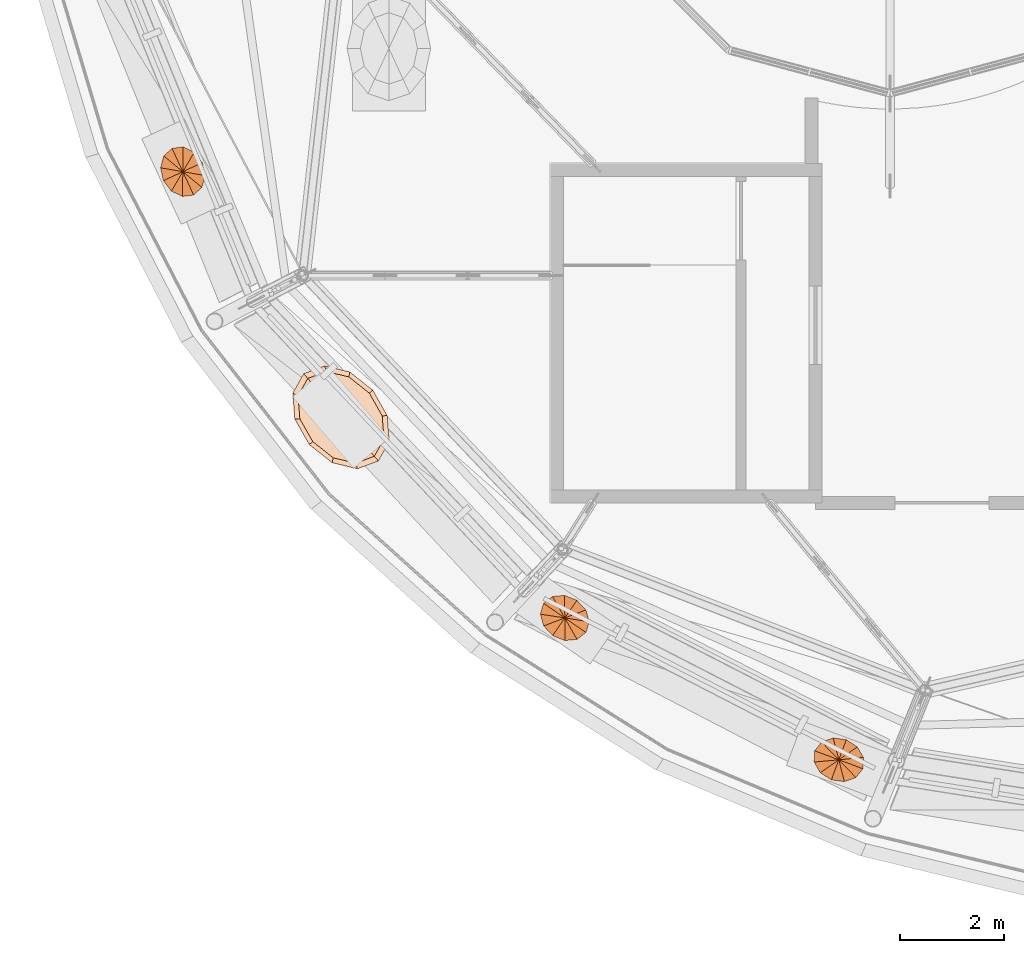
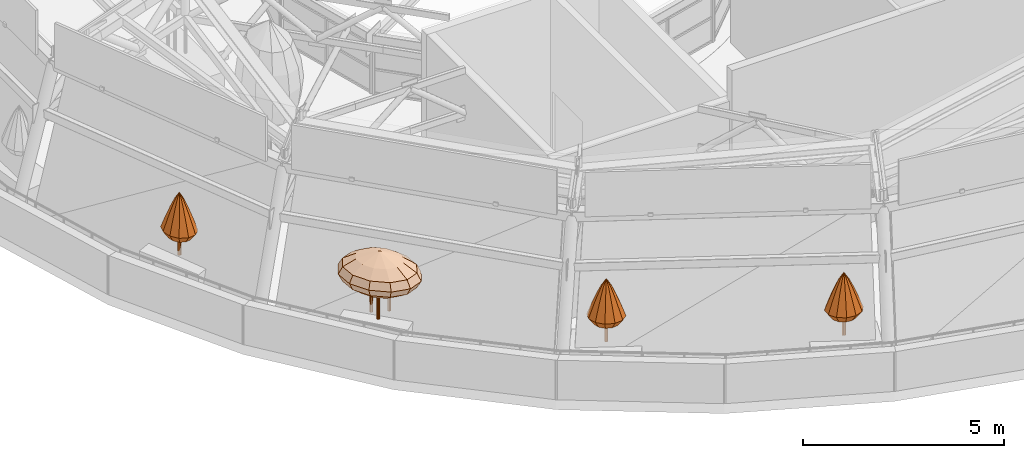
# One storey, part 32 of 40: 4 geographic elements.
"""IFC4 building model written with IfcOpenShell, lengths in metres."""

from ifc_helpers import new_model, si_unit, direction, frame, origin, place, context, subcontext, project, spatial, faceted_brep, material, constituent, constituent_set, type_object, element, save


model = new_model("IFC4")

# Units and contexts
model_context = context("Model", 3, precision=1e-05, world=origin(), true_north=direction((0.0, 1.0)))
body_context = subcontext(model_context, "Body", "Model", "MODEL_VIEW")
ifc_project = project(units=[si_unit("LENGTHUNIT", "METRE"), si_unit("AREAUNIT", "SQUARE_METRE"), si_unit("VOLUMEUNIT", "CUBIC_METRE"), si_unit("PLANEANGLEUNIT", "RADIAN"), si_unit("MASSUNIT", "GRAM", prefix="KILO")], contexts=[model_context])

# Site, building, storey
site_placement = place(None, origin())
site = spatial("IfcSite", under=ifc_project, at=site_placement, CompositionType="ELEMENT")
building_placement = place(site_placement, origin())
building = spatial("IfcBuilding", under=site, at=building_placement, Name="Taillehof Tower", CompositionType="ELEMENT")
storey_placement = place(building_placement, frame((0.0, 0.0, 275.199951171875)))
storey = spatial("IfcBuildingStorey", under=building, at=storey_placement, Name="L77", CompositionType="ELEMENT", Elevation=275.199951171875)

# Geographic elements
ifc_material_1 = material(Name="Tree bark", Category="timber")
ifc_constituent_1 = constituent(ifc_material_1, Name="Trunk", Category="timber")
ifc_material_2 = material(Name="Tree foliage")
ifc_constituent_2 = constituent(ifc_material_2, Name="Crown")
ifc_constituent_set_1 = constituent_set(constituents=[ifc_constituent_1, ifc_constituent_2], Name="Tree TR10 Scots pine standard")
geographic_element_type_1 = type_object("IfcGeographicElementType", Name="Tree TR10 Scots pine standard", PredefinedType="USERDEFINED", material=ifc_constituent_set_1)
geographic_element_1_placement = place(storey_placement, frame((-21.533935546875, -7.659912109375, 0.75)))
element("IfcGeographicElement", 1, at=geographic_element_1_placement, inside=storey, type_object=geographic_element_type_1, Name="Tree TR10 Scots pine standard", ObjectType="TREE", PredefinedType="USERDEFINED", context=body_context, shape_type="Brep", body=[
    faceted_brep([(0.050048828125, 0.0, 0.0), (0.035400390625, 0.035400390625, 0.0), (0.035400390625, 0.035400390625, 1.035400390625), (0.050048828125, 0.0, 1.035400390625), (0.0, 0.050048828125, 0.0), (0.0, 0.050048828125, 1.035400390625), (-0.035400390625, 0.035400390625, 0.0), (-0.035400390625, 0.035400390625, 1.035400390625), (-0.050048828125, 0.0, 0.0), (-0.050048828125, 0.0, 1.035400390625), (-0.035400390625, -0.035400390625, 0.0), (-0.035400390625, -0.035400390625, 1.035400390625), (0.0, -0.050048828125, 0.0), (0.0, -0.050048828125, 1.035400390625), (0.035400390625, -0.035400390625, 0.0), (0.035400390625, -0.035400390625, 1.035400390625)], [[[0, 1, 2, 3]], [[1, 4, 5, 2]], [[4, 6, 7, 5]], [[6, 8, 9, 7]], [[8, 10, 11, 9]], [[10, 12, 13, 11]], [[12, 14, 15, 13]], [[14, 0, 3, 15]], [[14, 12, 10, 8, 6, 4, 1, 0]], [[3, 2, 5, 7, 9, 11, 13, 15]]]),
    faceted_brep([(0.138427734375, -0.299560546875, 0.570068359375), (0.24462890625, -0.20166015625, 0.570068359375), (0.365234375, -0.30126953125, 0.791748046875), (0.20654296875, -0.447265625, 0.791748046875), (0.285400390625, -0.0498046875, 0.570068359375), (0.426025390625, -0.074462890625, 0.791748046875), (0.249755859375, 0.115234375, 0.570068359375), (0.372802734375, 0.172119140625, 0.791748046875), (0.14697265625, 0.249755859375, 0.570068359375), (0.219482421875, 0.372802734375, 0.791748046875), (0.0048828125, 0.317138671875, 0.570068359375), (0.00732421875, 0.473388671875, 0.791748046875), (-0.138427734375, 0.299560546875, 0.570068359375), (-0.20654296875, 0.447265625, 0.791748046875), (-0.24462890625, 0.20166015625, 0.570068359375), (-0.365234375, 0.30126953125, 0.791748046875), (-0.285400390625, 0.0498046875, 0.570068359375), (-0.426025390625, 0.074462890625, 0.791748046875), (-0.249755859375, -0.115234375, 0.570068359375), (-0.372802734375, -0.172119140625, 0.791748046875), (-0.14697265625, -0.249755859375, 0.570068359375), (-0.219482421875, -0.372802734375, 0.791748046875), (-0.0048828125, -0.317138671875, 0.570068359375), (-0.00732421875, -0.473388671875, 0.791748046875), (0.3056640625, -0.251953125, 1.013427734375), (0.1728515625, -0.3740234375, 1.013427734375), (0.3564453125, -0.062255859375, 1.013427734375), (0.311767578125, 0.14404296875, 1.013427734375), (0.18359375, 0.311767578125, 1.013427734375), (0.006103515625, 0.39599609375, 1.013427734375), (-0.1728515625, 0.3740234375, 1.013427734375), (-0.3056640625, 0.251953125, 1.013427734375), (-0.3564453125, 0.062255859375, 1.013427734375), (-0.311767578125, -0.14404296875, 1.013427734375), (-0.18359375, -0.311767578125, 1.013427734375), (-0.006103515625, -0.39599609375, 1.013427734375), (0.24267578125, -0.2001953125, 1.235107421875), (0.13720703125, -0.297119140625, 1.235107421875), (0.283203125, -0.049560546875, 1.235107421875), (0.24755859375, 0.114501953125, 1.235107421875), (0.145751953125, 0.247802734375, 1.235107421875), (0.0048828125, 0.314697265625, 1.235107421875), (-0.13720703125, 0.297119140625, 1.235107421875), (-0.24267578125, 0.2001953125, 1.235107421875), (-0.283203125, 0.049560546875, 1.235107421875), (-0.24755859375, -0.114501953125, 1.235107421875), (-0.145751953125, -0.247802734375, 1.235107421875), (-0.0048828125, -0.314697265625, 1.235107421875), (0.175537109375, -0.144775390625, 1.456787109375), (0.099365234375, -0.21484375, 1.456787109375), (0.20458984375, -0.035888671875, 1.456787109375), (0.178955078125, 0.082763671875, 1.456787109375), (0.10546875, 0.178955078125, 1.456787109375), (0.003662109375, 0.2275390625, 1.456787109375), (-0.099365234375, 0.21484375, 1.456787109375), (-0.175537109375, 0.144775390625, 1.456787109375), (-0.20458984375, 0.035888671875, 1.456787109375), (-0.178955078125, -0.082763671875, 1.456787109375), (-0.10546875, -0.178955078125, 1.456787109375), (-0.003662109375, -0.2275390625, 1.456787109375), (0.100830078125, -0.0830078125, 1.67822265625), (0.05712890625, -0.123291015625, 1.67822265625), (0.11767578125, -0.0205078125, 1.67822265625), (0.102783203125, 0.047607421875, 1.67822265625), (0.060546875, 0.102783203125, 1.67822265625), (0.001953125, 0.130615234375, 1.67822265625), (-0.05712890625, 0.123291015625, 1.67822265625), (-0.100830078125, 0.0830078125, 1.67822265625), (-0.11767578125, 0.0205078125, 1.67822265625), (-0.102783203125, -0.047607421875, 1.67822265625), (-0.060546875, -0.102783203125, 1.67822265625), (-0.001953125, -0.130615234375, 1.67822265625), (0.0, 0.0, 1.89990234375)], [[[0, 1, 2, 3]], [[1, 4, 5, 2]], [[4, 6, 7, 5]], [[6, 8, 9, 7]], [[8, 10, 11, 9]], [[10, 12, 13, 11]], [[12, 14, 15, 13]], [[14, 16, 17, 15]], [[16, 18, 19, 17]], [[18, 20, 21, 19]], [[20, 22, 23, 21]], [[22, 0, 3, 23]], [[3, 2, 24, 25]], [[2, 5, 26, 24]], [[5, 7, 27, 26]], [[7, 9, 28, 27]], [[9, 11, 29, 28]], [[11, 13, 30, 29]], [[13, 15, 31, 30]], [[15, 17, 32, 31]], [[17, 19, 33, 32]], [[19, 21, 34, 33]], [[21, 23, 35, 34]], [[23, 3, 25, 35]], [[25, 24, 36, 37]], [[24, 26, 38, 36]], [[26, 27, 39, 38]], [[27, 28, 40, 39]], [[28, 29, 41, 40]], [[29, 30, 42, 41]], [[30, 31, 43, 42]], [[31, 32, 44, 43]], [[32, 33, 45, 44]], [[33, 34, 46, 45]], [[34, 35, 47, 46]], [[35, 25, 37, 47]], [[37, 36, 48, 49]], [[36, 38, 50, 48]], [[38, 39, 51, 50]], [[39, 40, 52, 51]], [[40, 41, 53, 52]], [[41, 42, 54, 53]], [[42, 43, 55, 54]], [[43, 44, 56, 55]], [[44, 45, 57, 56]], [[45, 46, 58, 57]], [[46, 47, 59, 58]], [[47, 37, 49, 59]], [[49, 48, 60, 61]], [[48, 50, 62, 60]], [[50, 51, 63, 62]], [[51, 52, 64, 63]], [[52, 53, 65, 64]], [[53, 54, 66, 65]], [[54, 55, 67, 66]], [[55, 56, 68, 67]], [[56, 57, 69, 68]], [[57, 58, 70, 69]], [[58, 59, 71, 70]], [[59, 49, 61, 71]], [[61, 60, 72]], [[60, 62, 72]], [[62, 63, 72]], [[63, 64, 72]], [[64, 65, 72]], [[65, 66, 72]], [[66, 67, 72]], [[67, 68, 72]], [[68, 69, 72]], [[69, 70, 72]], [[70, 71, 72]], [[71, 61, 72]], [[22, 20, 18, 16, 14, 12, 10, 8, 6, 4, 1, 0]]]),
])
geographic_element_2_placement = place(storey_placement, frame((-14.223388671875, -16.20166015625, 0.75)))
element("IfcGeographicElement", 2, at=geographic_element_2_placement, inside=storey, type_object=geographic_element_type_1, Name="Tree TR10 Scots pine standard", ObjectType="TREE", PredefinedType="USERDEFINED", context=body_context, shape_type="Brep", body=[
    faceted_brep([(0.050048828125, 0.0, 0.0), (0.035400390625, 0.035400390625, 0.0), (0.035400390625, 0.035400390625, 1.035400390625), (0.050048828125, 0.0, 1.035400390625), (0.0, 0.050048828125, 0.0), (0.0, 0.050048828125, 1.035400390625), (-0.035400390625, 0.035400390625, 0.0), (-0.035400390625, 0.035400390625, 1.035400390625), (-0.050048828125, 0.0, 0.0), (-0.050048828125, 0.0, 1.035400390625), (-0.035400390625, -0.035400390625, 0.0), (-0.035400390625, -0.035400390625, 1.035400390625), (0.0, -0.050048828125, 0.0), (0.0, -0.050048828125, 1.035400390625), (0.035400390625, -0.035400390625, 0.0), (0.035400390625, -0.035400390625, 1.035400390625)], [[[0, 1, 2, 3]], [[1, 4, 5, 2]], [[4, 6, 7, 5]], [[6, 8, 9, 7]], [[8, 10, 11, 9]], [[10, 12, 13, 11]], [[12, 14, 15, 13]], [[14, 0, 3, 15]], [[14, 12, 10, 8, 6, 4, 1, 0]], [[3, 2, 5, 7, 9, 11, 13, 15]]]),
    faceted_brep([(0.27197265625, -0.18701171875, 0.570068359375), (0.3134765625, -0.048583984375, 0.570068359375), (0.4677734375, -0.07275390625, 0.791748046875), (0.40576171875, -0.279296875, 0.791748046875), (0.27099609375, 0.102783203125, 0.570068359375), (0.404541015625, 0.1533203125, 0.791748046875), (0.15576171875, 0.2265625, 0.570068359375), (0.232666015625, 0.338134765625, 0.791748046875), (-0.0009765625, 0.289794921875, 0.570068359375), (-0.00146484375, 0.4326171875, 0.791748046875), (-0.157470703125, 0.275146484375, 0.570068359375), (-0.235107421875, 0.410888671875, 0.791748046875), (-0.27197265625, 0.18701171875, 0.570068359375), (-0.40576171875, 0.279296875, 0.791748046875), (-0.3134765625, 0.048583984375, 0.570068359375), (-0.4677734375, 0.07275390625, 0.791748046875), (-0.27099609375, -0.102783203125, 0.570068359375), (-0.404541015625, -0.1533203125, 0.791748046875), (-0.15576171875, -0.2265625, 0.570068359375), (-0.232666015625, -0.338134765625, 0.791748046875), (0.0009765625, -0.289794921875, 0.570068359375), (0.00146484375, -0.4326171875, 0.791748046875), (0.157470703125, -0.275146484375, 0.570068359375), (0.235107421875, -0.410888671875, 0.791748046875), (0.391357421875, -0.060791015625, 1.013427734375), (0.339599609375, -0.233642578125, 1.013427734375), (0.33837890625, 0.128173828125, 1.013427734375), (0.194580078125, 0.282958984375, 1.013427734375), (-0.001220703125, 0.36181640625, 1.013427734375), (-0.19677734375, 0.34375, 1.013427734375), (-0.339599609375, 0.233642578125, 1.013427734375), (-0.391357421875, 0.060791015625, 1.013427734375), (-0.33837890625, -0.128173828125, 1.013427734375), (-0.194580078125, -0.282958984375, 1.013427734375), (0.001220703125, -0.36181640625, 1.013427734375), (0.19677734375, -0.34375, 1.013427734375), (0.310791015625, -0.04833984375, 1.235107421875), (0.269775390625, -0.185546875, 1.235107421875), (0.268798828125, 0.101806640625, 1.235107421875), (0.154541015625, 0.224853515625, 1.235107421875), (-0.0009765625, 0.287353515625, 1.235107421875), (-0.15625, 0.273193359375, 1.235107421875), (-0.269775390625, 0.185546875, 1.235107421875), (-0.310791015625, 0.04833984375, 1.235107421875), (-0.268798828125, -0.101806640625, 1.235107421875), (-0.154541015625, -0.224853515625, 1.235107421875), (0.0009765625, -0.287353515625, 1.235107421875), (0.15625, -0.273193359375, 1.235107421875), (0.224853515625, -0.034912109375, 1.456787109375), (0.195068359375, -0.134033203125, 1.456787109375), (0.1943359375, 0.07373046875, 1.456787109375), (0.11181640625, 0.16259765625, 1.456787109375), (-0.000732421875, 0.207763671875, 1.456787109375), (-0.113037109375, 0.197509765625, 1.456787109375), (-0.195068359375, 0.134033203125, 1.456787109375), (-0.224853515625, 0.034912109375, 1.456787109375), (-0.1943359375, -0.07373046875, 1.456787109375), (-0.11181640625, -0.16259765625, 1.456787109375), (0.000732421875, -0.207763671875, 1.456787109375), (0.113037109375, -0.197509765625, 1.456787109375), (0.129150390625, -0.02001953125, 1.67822265625), (0.112060546875, -0.0771484375, 1.67822265625), (0.111572265625, 0.042236328125, 1.67822265625), (0.064208984375, 0.09326171875, 1.67822265625), (-0.00048828125, 0.119384765625, 1.67822265625), (-0.06494140625, 0.11328125, 1.67822265625), (-0.112060546875, 0.0771484375, 1.67822265625), (-0.129150390625, 0.02001953125, 1.67822265625), (-0.111572265625, -0.042236328125, 1.67822265625), (-0.064208984375, -0.09326171875, 1.67822265625), (0.00048828125, -0.119384765625, 1.67822265625), (0.06494140625, -0.11328125, 1.67822265625), (0.0, 0.0, 1.89990234375)], [[[0, 1, 2, 3]], [[1, 4, 5, 2]], [[4, 6, 7, 5]], [[6, 8, 9, 7]], [[8, 10, 11, 9]], [[10, 12, 13, 11]], [[12, 14, 15, 13]], [[14, 16, 17, 15]], [[16, 18, 19, 17]], [[18, 20, 21, 19]], [[20, 22, 23, 21]], [[22, 0, 3, 23]], [[3, 2, 24, 25]], [[2, 5, 26, 24]], [[5, 7, 27, 26]], [[7, 9, 28, 27]], [[9, 11, 29, 28]], [[11, 13, 30, 29]], [[13, 15, 31, 30]], [[15, 17, 32, 31]], [[17, 19, 33, 32]], [[19, 21, 34, 33]], [[21, 23, 35, 34]], [[23, 3, 25, 35]], [[25, 24, 36, 37]], [[24, 26, 38, 36]], [[26, 27, 39, 38]], [[27, 28, 40, 39]], [[28, 29, 41, 40]], [[29, 30, 42, 41]], [[30, 31, 43, 42]], [[31, 32, 44, 43]], [[32, 33, 45, 44]], [[33, 34, 46, 45]], [[34, 35, 47, 46]], [[35, 25, 37, 47]], [[37, 36, 48, 49]], [[36, 38, 50, 48]], [[38, 39, 51, 50]], [[39, 40, 52, 51]], [[40, 41, 53, 52]], [[41, 42, 54, 53]], [[42, 43, 55, 54]], [[43, 44, 56, 55]], [[44, 45, 57, 56]], [[45, 46, 58, 57]], [[46, 47, 59, 58]], [[47, 37, 49, 59]], [[49, 48, 60, 61]], [[48, 50, 62, 60]], [[50, 51, 63, 62]], [[51, 52, 64, 63]], [[52, 53, 65, 64]], [[53, 54, 66, 65]], [[54, 55, 67, 66]], [[55, 56, 68, 67]], [[56, 57, 69, 68]], [[57, 58, 70, 69]], [[58, 59, 71, 70]], [[59, 49, 61, 71]], [[61, 60, 72]], [[60, 62, 72]], [[62, 63, 72]], [[63, 64, 72]], [[64, 65, 72]], [[65, 66, 72]], [[66, 67, 72]], [[67, 68, 72]], [[68, 69, 72]], [[69, 70, 72]], [[70, 71, 72]], [[71, 61, 72]], [[22, 20, 18, 16, 14, 12, 10, 8, 6, 4, 1, 0]]]),
])
geographic_element_3_placement = place(storey_placement, frame((-8.978271484375, -18.916748046875, 0.75)))
element("IfcGeographicElement", 3, at=geographic_element_3_placement, inside=storey, type_object=geographic_element_type_1, Name="Tree TR10 Scots pine standard", ObjectType="TREE", PredefinedType="USERDEFINED", context=body_context, shape_type="Brep", body=[
    faceted_brep([(0.050048828125, 0.0, 0.0), (0.035400390625, 0.035400390625, 0.0), (0.035400390625, 0.035400390625, 1.035400390625), (0.050048828125, 0.0, 1.035400390625), (0.0, 0.050048828125, 0.0), (0.0, 0.050048828125, 1.035400390625), (-0.035400390625, 0.035400390625, 0.0), (-0.035400390625, 0.035400390625, 1.035400390625), (-0.050048828125, 0.0, 0.0), (-0.050048828125, 0.0, 1.035400390625), (-0.035400390625, -0.035400390625, 0.0), (-0.035400390625, -0.035400390625, 1.035400390625), (0.0, -0.050048828125, 0.0), (0.0, -0.050048828125, 1.035400390625), (0.035400390625, -0.035400390625, 0.0), (0.035400390625, -0.035400390625, 1.035400390625)], [[[0, 1, 2, 3]], [[1, 4, 5, 2]], [[4, 6, 7, 5]], [[6, 8, 9, 7]], [[8, 10, 11, 9]], [[10, 12, 13, 11]], [[12, 14, 15, 13]], [[14, 0, 3, 15]], [[14, 12, 10, 8, 6, 4, 1, 0]], [[3, 2, 5, 7, 9, 11, 13, 15]]]),
    faceted_brep([(0.309326171875, -0.114990234375, 0.570068359375), (0.315673828125, 0.029296875, 0.570068359375), (0.471435546875, 0.0439453125, 0.791748046875), (0.4619140625, -0.17138671875, 0.791748046875), (0.237548828125, 0.165771484375, 0.570068359375), (0.354736328125, 0.24755859375, 0.791748046875), (0.095703125, 0.2578125, 0.570068359375), (0.142822265625, 0.384765625, 0.791748046875), (-0.07177734375, 0.28076171875, 0.570068359375), (-0.107177734375, 0.4189453125, 0.791748046875), (-0.219970703125, 0.228271484375, 0.570068359375), (-0.32861328125, 0.341064453125, 0.791748046875), (-0.309326171875, 0.114990234375, 0.570068359375), (-0.4619140625, 0.17138671875, 0.791748046875), (-0.315673828125, -0.029296875, 0.570068359375), (-0.471435546875, -0.0439453125, 0.791748046875), (-0.237548828125, -0.165771484375, 0.570068359375), (-0.354736328125, -0.24755859375, 0.791748046875), (-0.095703125, -0.2578125, 0.570068359375), (-0.142822265625, -0.384765625, 0.791748046875), (0.07177734375, -0.28076171875, 0.570068359375), (0.107177734375, -0.4189453125, 0.791748046875), (0.219970703125, -0.228271484375, 0.570068359375), (0.32861328125, -0.341064453125, 0.791748046875), (0.394287109375, 0.03662109375, 1.013427734375), (0.38623046875, -0.1435546875, 1.013427734375), (0.296630859375, 0.20703125, 1.013427734375), (0.11962890625, 0.322021484375, 1.013427734375), (-0.089599609375, 0.3505859375, 1.013427734375), (-0.27490234375, 0.28515625, 1.013427734375), (-0.38623046875, 0.1435546875, 1.013427734375), (-0.394287109375, -0.03662109375, 1.013427734375), (-0.296630859375, -0.20703125, 1.013427734375), (-0.11962890625, -0.322021484375, 1.013427734375), (0.089599609375, -0.3505859375, 1.013427734375), (0.27490234375, -0.28515625, 1.013427734375), (0.313232421875, 0.029052734375, 1.235107421875), (0.306884765625, -0.114013671875, 1.235107421875), (0.235595703125, 0.16455078125, 1.235107421875), (0.094970703125, 0.255859375, 1.235107421875), (-0.0712890625, 0.278564453125, 1.235107421875), (-0.21826171875, 0.2265625, 1.235107421875), (-0.306884765625, 0.114013671875, 1.235107421875), (-0.313232421875, -0.029052734375, 1.235107421875), (-0.235595703125, -0.16455078125, 1.235107421875), (-0.094970703125, -0.255859375, 1.235107421875), (0.0712890625, -0.278564453125, 1.235107421875), (0.21826171875, -0.2265625, 1.235107421875), (0.2265625, 0.02099609375, 1.456787109375), (0.221923828125, -0.08251953125, 1.456787109375), (0.17041015625, 0.118896484375, 1.456787109375), (0.068603515625, 0.184814453125, 1.456787109375), (-0.051513671875, 0.201416015625, 1.456787109375), (-0.15771484375, 0.163818359375, 1.456787109375), (-0.221923828125, 0.08251953125, 1.456787109375), (-0.2265625, -0.02099609375, 1.456787109375), (-0.17041015625, -0.118896484375, 1.456787109375), (-0.068603515625, -0.184814453125, 1.456787109375), (0.051513671875, -0.201416015625, 1.456787109375), (0.15771484375, -0.163818359375, 1.456787109375), (0.130126953125, 0.01220703125, 1.67822265625), (0.12744140625, -0.04736328125, 1.67822265625), (0.097900390625, 0.068359375, 1.67822265625), (0.03955078125, 0.106201171875, 1.67822265625), (-0.029541015625, 0.11572265625, 1.67822265625), (-0.090576171875, 0.093994140625, 1.67822265625), (-0.12744140625, 0.04736328125, 1.67822265625), (-0.130126953125, -0.01220703125, 1.67822265625), (-0.097900390625, -0.068359375, 1.67822265625), (-0.03955078125, -0.106201171875, 1.67822265625), (0.029541015625, -0.11572265625, 1.67822265625), (0.090576171875, -0.093994140625, 1.67822265625), (0.0, 0.0, 1.89990234375)], [[[0, 1, 2, 3]], [[1, 4, 5, 2]], [[4, 6, 7, 5]], [[6, 8, 9, 7]], [[8, 10, 11, 9]], [[10, 12, 13, 11]], [[12, 14, 15, 13]], [[14, 16, 17, 15]], [[16, 18, 19, 17]], [[18, 20, 21, 19]], [[20, 22, 23, 21]], [[22, 0, 3, 23]], [[3, 2, 24, 25]], [[2, 5, 26, 24]], [[5, 7, 27, 26]], [[7, 9, 28, 27]], [[9, 11, 29, 28]], [[11, 13, 30, 29]], [[13, 15, 31, 30]], [[15, 17, 32, 31]], [[17, 19, 33, 32]], [[19, 21, 34, 33]], [[21, 23, 35, 34]], [[23, 3, 25, 35]], [[25, 24, 36, 37]], [[24, 26, 38, 36]], [[26, 27, 39, 38]], [[27, 28, 40, 39]], [[28, 29, 41, 40]], [[29, 30, 42, 41]], [[30, 31, 43, 42]], [[31, 32, 44, 43]], [[32, 33, 45, 44]], [[33, 34, 46, 45]], [[34, 35, 47, 46]], [[35, 25, 37, 47]], [[37, 36, 48, 49]], [[36, 38, 50, 48]], [[38, 39, 51, 50]], [[39, 40, 52, 51]], [[40, 41, 53, 52]], [[41, 42, 54, 53]], [[42, 43, 55, 54]], [[43, 44, 56, 55]], [[44, 45, 57, 56]], [[45, 46, 58, 57]], [[46, 47, 59, 58]], [[47, 37, 49, 59]], [[49, 48, 60, 61]], [[48, 50, 62, 60]], [[50, 51, 63, 62]], [[51, 52, 64, 63]], [[52, 53, 65, 64]], [[53, 54, 66, 65]], [[54, 55, 67, 66]], [[55, 56, 68, 67]], [[56, 57, 69, 68]], [[57, 58, 70, 69]], [[58, 59, 71, 70]], [[59, 49, 61, 71]], [[61, 60, 72]], [[60, 62, 72]], [[62, 63, 72]], [[63, 64, 72]], [[64, 65, 72]], [[65, 66, 72]], [[66, 67, 72]], [[67, 68, 72]], [[68, 69, 72]], [[69, 70, 72]], [[70, 71, 72]], [[71, 61, 72]], [[22, 20, 18, 16, 14, 12, 10, 8, 6, 4, 1, 0]]]),
])
ifc_material_3 = material(Name="Tree bark", Category="timber")
ifc_constituent_3 = constituent(ifc_material_3, Name="Trunk", Category="timber")
ifc_material_4 = material(Name="Tree foliage")
ifc_constituent_4 = constituent(ifc_material_4, Name="Crown")
ifc_constituent_set_2 = constituent_set(constituents=[ifc_constituent_3, ifc_constituent_4], Name="Tree TR9 Multi-stem hawthorn")
geographic_element_type_2 = type_object("IfcGeographicElementType", Name="Tree TR9 Multi-stem hawthorn", PredefinedType="USERDEFINED", material=ifc_constituent_set_2)
geographic_element_4_placement = place(storey_placement, frame((-18.505859375, -12.3623046875, 0.75)))
element("IfcGeographicElement", 4, at=geographic_element_4_placement, inside=storey, type_object=geographic_element_type_2, Name="Tree TR9 Multi-stem hawthorn", ObjectType="TREE", PredefinedType="USERDEFINED", context=body_context, shape_type="Brep", body=[
    faceted_brep([(0.31982421875, 0.0, 0.0), (0.306640625, 0.03173828125, 0.0), (0.306640625, 0.03173828125, 1.035400390625), (0.31982421875, 0.0, 1.035400390625), (0.27490234375, 0.044921875, 0.0), (0.27490234375, 0.044921875, 1.035400390625), (0.2431640625, 0.03173828125, 0.0), (0.2431640625, 0.03173828125, 1.035400390625), (0.22998046875, 0.0, 0.0), (0.22998046875, 0.0, 1.035400390625), (0.2431640625, -0.03173828125, 0.0), (0.2431640625, -0.03173828125, 1.035400390625), (0.27490234375, -0.044921875, 0.0), (0.27490234375, -0.044921875, 1.035400390625), (0.306640625, -0.03173828125, 0.0), (0.306640625, -0.03173828125, 1.035400390625)], [[[0, 1, 2, 3]], [[1, 4, 5, 2]], [[4, 6, 7, 5]], [[6, 8, 9, 7]], [[8, 10, 11, 9]], [[10, 12, 13, 11]], [[12, 14, 15, 13]], [[14, 0, 3, 15]], [[14, 12, 10, 8, 6, 4, 1, 0]], [[3, 2, 5, 7, 9, 11, 13, 15]]]),
    faceted_brep([(-0.092529296875, 0.173095703125, 0.0), (-0.105712890625, 0.205078125, 0.0), (-0.105712890625, 0.205078125, 1.035400390625), (-0.092529296875, 0.173095703125, 1.035400390625), (-0.137451171875, 0.218017578125, 0.0), (-0.137451171875, 0.218017578125, 1.035400390625), (-0.169189453125, 0.205078125, 0.0), (-0.169189453125, 0.205078125, 1.035400390625), (-0.182373046875, 0.173095703125, 0.0), (-0.182373046875, 0.173095703125, 1.035400390625), (-0.169189453125, 0.141357421875, 0.0), (-0.169189453125, 0.141357421875, 1.035400390625), (-0.137451171875, 0.12841796875, 0.0), (-0.137451171875, 0.12841796875, 1.035400390625), (-0.105712890625, 0.141357421875, 0.0), (-0.105712890625, 0.141357421875, 1.035400390625)], [[[0, 1, 2, 3]], [[1, 4, 5, 2]], [[4, 6, 7, 5]], [[6, 8, 9, 7]], [[8, 10, 11, 9]], [[10, 12, 13, 11]], [[12, 14, 15, 13]], [[14, 0, 3, 15]], [[14, 12, 10, 8, 6, 4, 1, 0]], [[3, 2, 5, 7, 9, 11, 13, 15]]]),
    faceted_brep([(-0.092529296875, -0.173095703125, 0.0), (-0.105712890625, -0.141357421875, 0.0), (-0.105712890625, -0.141357421875, 1.035400390625), (-0.092529296875, -0.173095703125, 1.035400390625), (-0.137451171875, -0.12841796875, 0.0), (-0.137451171875, -0.12841796875, 1.035400390625), (-0.169189453125, -0.141357421875, 0.0), (-0.169189453125, -0.141357421875, 1.035400390625), (-0.182373046875, -0.173095703125, 0.0), (-0.182373046875, -0.173095703125, 1.035400390625), (-0.169189453125, -0.205078125, 0.0), (-0.169189453125, -0.205078125, 1.035400390625), (-0.137451171875, -0.218017578125, 0.0), (-0.137451171875, -0.218017578125, 1.035400390625), (-0.105712890625, -0.205078125, 0.0), (-0.105712890625, -0.205078125, 1.035400390625)], [[[0, 1, 2, 3]], [[1, 4, 5, 2]], [[4, 6, 7, 5]], [[6, 8, 9, 7]], [[8, 10, 11, 9]], [[10, 12, 13, 11]], [[12, 14, 15, 13]], [[14, 0, 3, 15]], [[14, 12, 10, 8, 6, 4, 1, 0]], [[3, 2, 5, 7, 9, 11, 13, 15]]]),
    faceted_brep([(0.0, 0.0, 0.570068359375), (0.5302734375, -0.266357421875, 0.791748046875), (0.410888671875, -0.47998046875, 0.791748046875), (0.5078125, 0.018798828125, 0.791748046875), (0.34912109375, 0.298828125, 0.791748046875), (0.096923828125, 0.498779296875, 0.791748046875), (-0.18115234375, 0.565185546875, 0.791748046875), (-0.410888671875, 0.47998046875, 0.791748046875), (-0.5302734375, 0.266357421875, 0.791748046875), (-0.5078125, -0.018798828125, 0.791748046875), (-0.34912109375, -0.298828125, 0.791748046875), (-0.096923828125, -0.498779296875, 0.791748046875), (0.18115234375, -0.565185546875, 0.791748046875), (0.822998046875, -0.413330078125, 1.013427734375), (0.637451171875, -0.744873046875, 1.013427734375), (0.787841796875, 0.029052734375, 1.013427734375), (0.541748046875, 0.463623046875, 1.013427734375), (0.150390625, 0.77392578125, 1.013427734375), (-0.28125, 0.876953125, 1.013427734375), (-0.637451171875, 0.744873046875, 1.013427734375), (-0.822998046875, 0.413330078125, 1.013427734375), (-0.787841796875, -0.029052734375, 1.013427734375), (-0.541748046875, -0.463623046875, 1.013427734375), (-0.150390625, -0.77392578125, 1.013427734375), (0.28125, -0.876953125, 1.013427734375), (0.92333984375, -0.463623046875, 1.235107421875), (0.71533203125, -0.835693359375, 1.235107421875), (0.884033203125, 0.03271484375, 1.235107421875), (0.60791015625, 0.520263671875, 1.235107421875), (0.168701171875, 0.868408203125, 1.235107421875), (-0.3154296875, 0.98388671875, 1.235107421875), (-0.71533203125, 0.835693359375, 1.235107421875), (-0.92333984375, 0.463623046875, 1.235107421875), (-0.884033203125, -0.03271484375, 1.235107421875), (-0.60791015625, -0.520263671875, 1.235107421875), (-0.168701171875, -0.868408203125, 1.235107421875), (0.3154296875, -0.98388671875, 1.235107421875), (0.822998046875, -0.413330078125, 1.456787109375), (0.637451171875, -0.744873046875, 1.456787109375), (0.787841796875, 0.029052734375, 1.456787109375), (0.541748046875, 0.463623046875, 1.456787109375), (0.150390625, 0.77392578125, 1.456787109375), (-0.28125, 0.876953125, 1.456787109375), (-0.637451171875, 0.744873046875, 1.456787109375), (-0.822998046875, 0.413330078125, 1.456787109375), (-0.787841796875, -0.029052734375, 1.456787109375), (-0.541748046875, -0.463623046875, 1.456787109375), (-0.150390625, -0.77392578125, 1.456787109375), (0.28125, -0.876953125, 1.456787109375), (0.5302734375, -0.266357421875, 1.67822265625), (0.410888671875, -0.47998046875, 1.67822265625), (0.5078125, 0.018798828125, 1.67822265625), (0.34912109375, 0.298828125, 1.67822265625), (0.096923828125, 0.498779296875, 1.67822265625), (-0.18115234375, 0.565185546875, 1.67822265625), (-0.410888671875, 0.47998046875, 1.67822265625), (-0.5302734375, 0.266357421875, 1.67822265625), (-0.5078125, -0.018798828125, 1.67822265625), (-0.34912109375, -0.298828125, 1.67822265625), (-0.096923828125, -0.498779296875, 1.67822265625), (0.18115234375, -0.565185546875, 1.67822265625), (0.0, 0.0, 1.89990234375)], [[[0, 1, 2]], [[0, 3, 1]], [[0, 4, 3]], [[0, 5, 4]], [[0, 6, 5]], [[0, 7, 6]], [[0, 8, 7]], [[0, 9, 8]], [[0, 10, 9]], [[0, 11, 10]], [[0, 12, 11]], [[0, 2, 12]], [[2, 1, 13, 14]], [[1, 3, 15, 13]], [[3, 4, 16, 15]], [[4, 5, 17, 16]], [[5, 6, 18, 17]], [[6, 7, 19, 18]], [[7, 8, 20, 19]], [[8, 9, 21, 20]], [[9, 10, 22, 21]], [[10, 11, 23, 22]], [[11, 12, 24, 23]], [[12, 2, 14, 24]], [[14, 13, 25, 26]], [[13, 15, 27, 25]], [[15, 16, 28, 27]], [[16, 17, 29, 28]], [[17, 18, 30, 29]], [[18, 19, 31, 30]], [[19, 20, 32, 31]], [[20, 21, 33, 32]], [[21, 22, 34, 33]], [[22, 23, 35, 34]], [[23, 24, 36, 35]], [[24, 14, 26, 36]], [[26, 25, 37, 38]], [[25, 27, 39, 37]], [[27, 28, 40, 39]], [[28, 29, 41, 40]], [[29, 30, 42, 41]], [[30, 31, 43, 42]], [[31, 32, 44, 43]], [[32, 33, 45, 44]], [[33, 34, 46, 45]], [[34, 35, 47, 46]], [[35, 36, 48, 47]], [[36, 26, 38, 48]], [[38, 37, 49, 50]], [[37, 39, 51, 49]], [[39, 40, 52, 51]], [[40, 41, 53, 52]], [[41, 42, 54, 53]], [[42, 43, 55, 54]], [[43, 44, 56, 55]], [[44, 45, 57, 56]], [[45, 46, 58, 57]], [[46, 47, 59, 58]], [[47, 48, 60, 59]], [[48, 38, 50, 60]], [[50, 49, 61]], [[49, 51, 61]], [[51, 52, 61]], [[52, 53, 61]], [[53, 54, 61]], [[54, 55, 61]], [[55, 56, 61]], [[56, 57, 61]], [[57, 58, 61]], [[58, 59, 61]], [[59, 60, 61]], [[60, 50, 61]]]),
])

save(model, "model.ifc")
